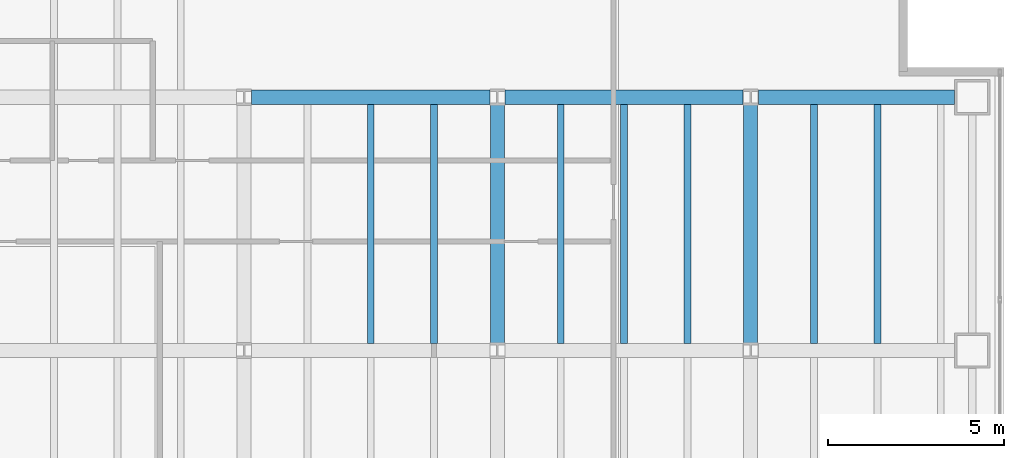
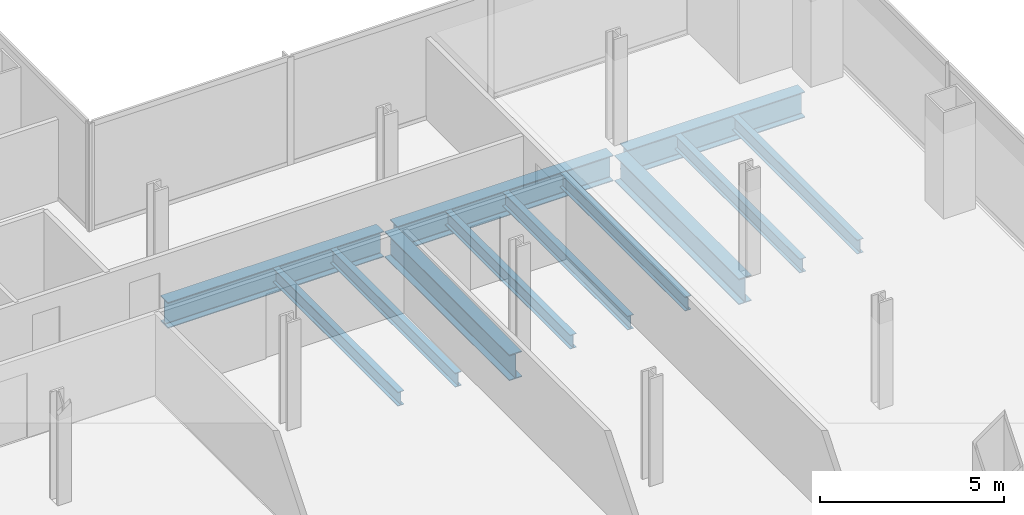
# One storey, part 11 of 24: 12 beams.
"""IFC4 building model written with IfcOpenShell, lengths in metres."""

from ifc_helpers import new_model, si_unit, direction, frame, origin, origin_2d, place, context, subcontext, project, spatial, i_section, extrude, material, material_profile, profile_set, type_object, element, save


model = new_model("IFC4")

# Units and contexts
model_context = context("Model", 3, precision=1e-05, world=origin(), true_north=direction((0.0, 1.0)))
body_context = subcontext(model_context, "Body", "Model", "MODEL_VIEW")
ifc_project = project(units=[si_unit("LENGTHUNIT", "METRE"), si_unit("AREAUNIT", "SQUARE_METRE"), si_unit("VOLUMEUNIT", "CUBIC_METRE"), si_unit("PLANEANGLEUNIT", "RADIAN"), si_unit("MASSUNIT", "GRAM", prefix="KILO")], contexts=[model_context])

# Site, building, storey
site_placement = place(None, origin())
site = spatial("IfcSite", under=ifc_project, at=site_placement, CompositionType="ELEMENT")
building_placement = place(site_placement, origin())
building = spatial("IfcBuilding", under=site, at=building_placement, Name="Cobrela Telecom Tower", CompositionType="ELEMENT")
storey_placement = place(building_placement, frame((0.0, 0.0, 69.64990234375)))
storey = spatial("IfcBuildingStorey", under=building, at=storey_placement, Name="L17", CompositionType="ELEMENT", Elevation=69.64990234375)

# Beams
ifc_material = material(Name="Steel ASTM A992 Grade 50", Category="steel")
ifc_material_profile_1 = material_profile(ifc_material, i_section(OverallWidth=0.39892578125, OverallDepth=0.85595703125, WebThickness=0.018310546875, FlangeThickness=0.029296875, FilletRadius=0.02001953125, at=origin_2d()), Name="W33X201")
ifc_profile_set_1 = profile_set([ifc_material_profile_1], Name="Steel ASTM A992 Grade 50")
beam_type_1 = type_object("IfcBeamType", Name="BM-GIRD-03", PredefinedType="USERDEFINED", material=ifc_profile_set_1)
for number, where, z_axis, x_axis, name in (
    (1, (29.01611328125, 21.60009765625, -0.7080078125), (1.0, 0.0, 0.0), (0.0, 1.0, 0.0), "L17 Primary Girder X20"),
    (2, (36.216064453125, 21.60009765625, -0.7080078125), (1.0, 0.0, 0.0), (0.0, 1.0, 0.0), "L17 Primary Girder X21"),
):
    element("IfcBeam", number, at=place(storey_placement, frame(where, z_axis=z_axis, x_axis=x_axis)), inside=storey, type_object=beam_type_1, Name=name, ObjectType="GIRDER", PredefinedType="USERDEFINED", context=body_context, shape_type="SweptSolid", body=[
        extrude(i_section(OverallWidth=0.39892578125, OverallDepth=0.85595703125, WebThickness=0.018310546875, FlangeThickness=0.029296875, FilletRadius=0.02001953125, at=origin_2d()), origin(), (0.0, 0.0, 1.0), 6.767822265625),
    ])
beam_placement = place(storey_placement, frame((43.416015625, 21.60009765625, -0.7080078125), z_axis=(1.0, 0.0, 0.0), x_axis=(0.0, 1.0, 0.0)))
element("IfcBeam", 3, at=beam_placement, inside=storey, type_object=beam_type_1, Name="L17 Primary Girder X22", ObjectType="GIRDER", PredefinedType="USERDEFINED", context=body_context, shape_type="SweptSolid", body=[
    extrude(i_section(OverallWidth=0.39892578125, OverallDepth=0.85595703125, WebThickness=0.018310546875, FlangeThickness=0.029296875, FilletRadius=0.02001953125, at=origin_2d()), origin(), (0.0, 0.0, 1.0), 5.5791015625),
])
for number, where, z_axis, x_axis, name in (
    (4, (36.0, 14.615966796875, -0.7080078125), (0.0, 1.0, 0.0), (-1.0, 0.0, 0.0), "L17 Primary Girder Y52"),
    (5, (43.199951171875, 14.615966796875, -0.7080078125), (0.0, 1.0, 0.0), (-1.0, 0.0, 0.0), "L17 Primary Girder Y55"),
):
    element("IfcBeam", number, at=place(storey_placement, frame(where, z_axis=z_axis, x_axis=x_axis)), inside=storey, type_object=beam_type_1, Name=name, ObjectType="GIRDER", PredefinedType="USERDEFINED", context=body_context, shape_type="SweptSolid", body=[
        extrude(i_section(OverallWidth=0.39892578125, OverallDepth=0.85595703125, WebThickness=0.018310546875, FlangeThickness=0.029296875, FilletRadius=0.02001953125, at=origin_2d()), origin(), (0.0, 0.0, 1.0), 6.76806640625),
    ])
ifc_material_profile_2 = material_profile(ifc_material, i_section(OverallWidth=0.193115234375, OverallDepth=0.467041015625, WebThickness=0.011474609375, FlangeThickness=0.01904296875, FilletRadius=0.012939453125, at=origin_2d()), Name="W18X65")
ifc_profile_set_2 = profile_set([ifc_material_profile_2], Name="Steel ASTM A992 Grade 50")
beam_type_2 = type_object("IfcBeamType", Name="BM-JOIST-03", PredefinedType="JOIST", material=ifc_profile_set_2)
for number, where, z_axis, x_axis, name in (
    (6, (32.39990234375, 14.6044921875, -0.513427734375), (0.0, 1.0, 0.0), (-1.0, 0.0, 0.0), "L17 Secondary Composite Floor Beam J46"),
    (7, (34.199951171875, 14.6044921875, -0.513427734375), (0.0, 1.0, 0.0), (-1.0, 0.0, 0.0), "L17 Secondary Composite Floor Beam J49"),
    (8, (37.800048828125, 14.6044921875, -0.513427734375), (0.0, 1.0, 0.0), (-1.0, 0.0, 0.0), "L17 Secondary Composite Floor Beam J52"),
    (9, (39.60009765625, 14.6044921875, -0.513427734375), (0.0, 1.0, 0.0), (-1.0, 0.0, 0.0), "L17 Secondary Composite Floor Beam J55"),
    (10, (41.39990234375, 14.6044921875, -0.513427734375), (0.0, 1.0, 0.0), (-1.0, 0.0, 0.0), "L17 Secondary Composite Floor Beam J58"),
    (11, (45.0, 14.6044921875, -0.513427734375), (0.0, 1.0, 0.0), (-1.0, 0.0, 0.0), "L17 Secondary Composite Floor Beam J60"),
    (12, (46.800048828125, 14.6044921875, -0.513427734375), (0.0, 1.0, 0.0), (-1.0, 0.0, 0.0), "L17 Secondary Composite Floor Beam J62"),
):
    element("IfcBeam", number, at=place(storey_placement, frame(where, z_axis=z_axis, x_axis=x_axis)), inside=storey, type_object=beam_type_2, Name=name, PredefinedType="JOIST", context=body_context, shape_type="SweptSolid", body=[
        extrude(i_section(OverallWidth=0.193115234375, OverallDepth=0.467041015625, WebThickness=0.011474609375, FlangeThickness=0.01904296875, FilletRadius=0.012939453125, at=origin_2d()), origin(), (0.0, 0.0, 1.0), 6.791015625),
    ])

save(model, "model.ifc")
